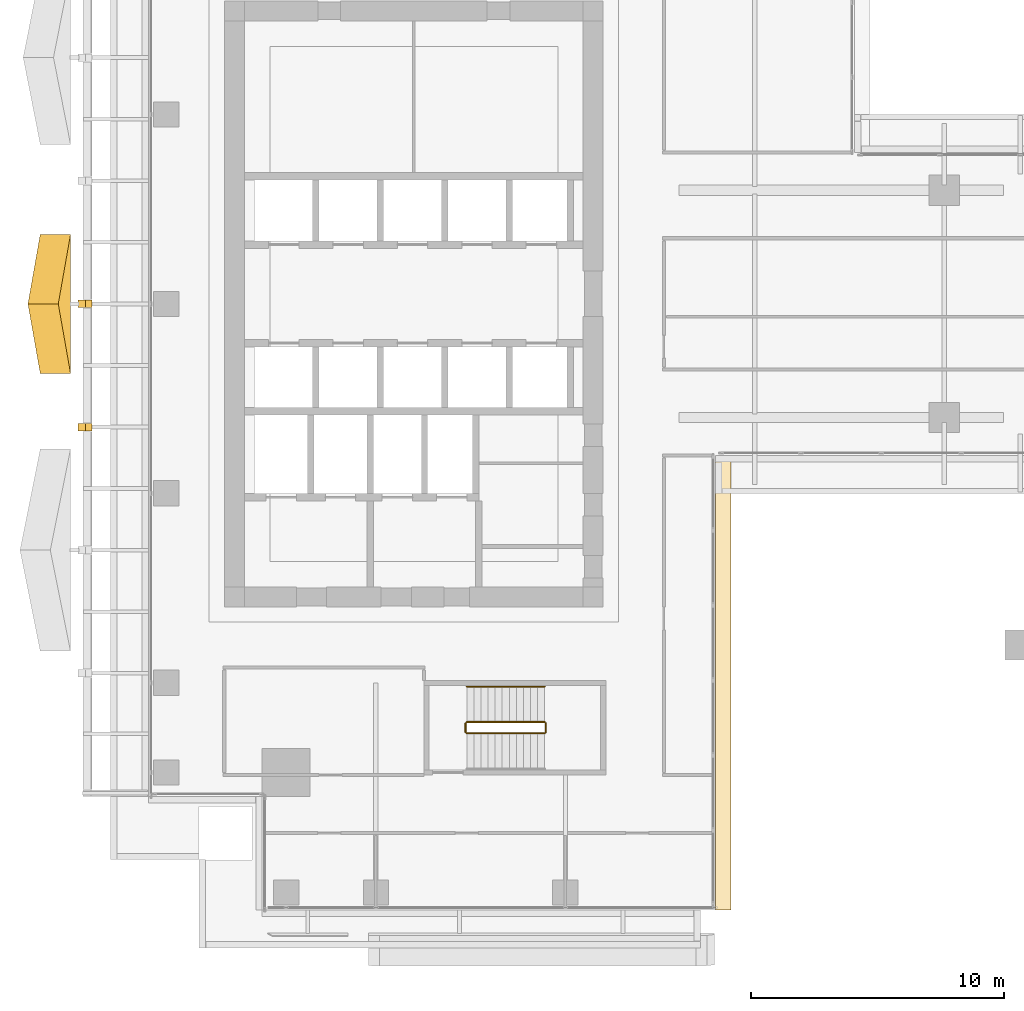
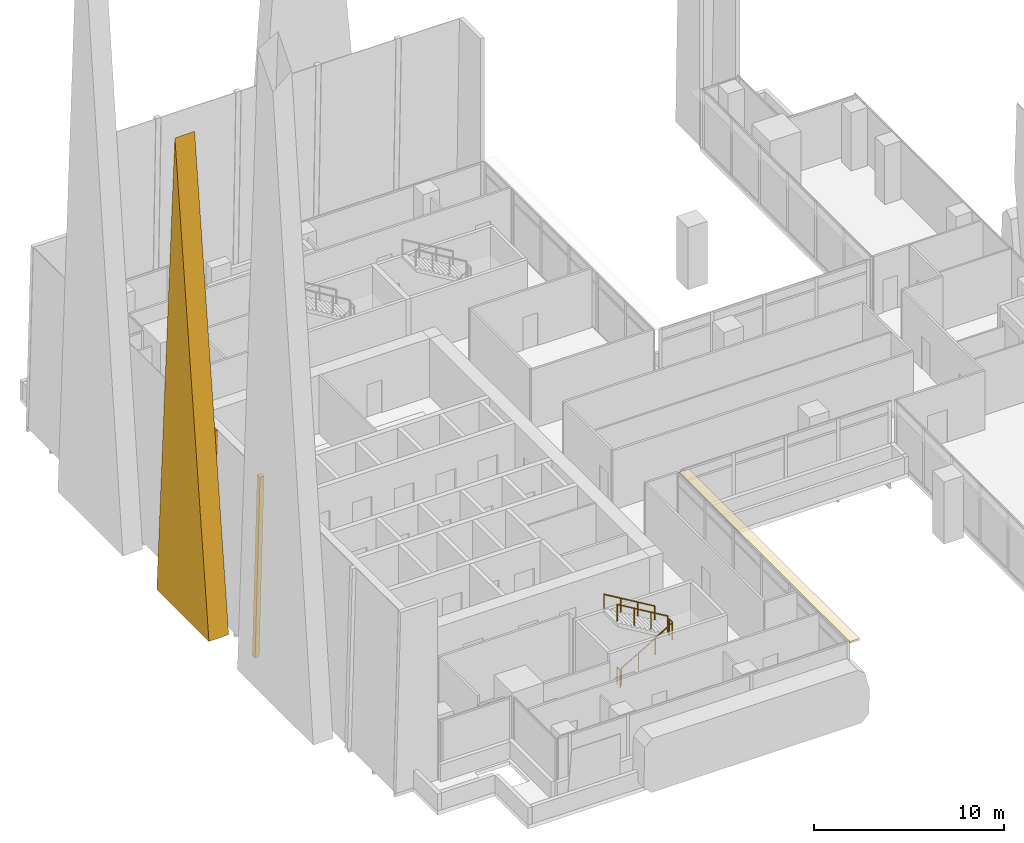
# One storey, part 39 of 43: 5 railings, 4 coverings.
"""IFC4 building model written with IfcOpenShell, lengths in metres."""

from ifc_helpers import new_model, si_unit, direction, frame, origin, origin_2d, place, context, subcontext, project, spatial, polyline, circle, outline, extrude, source, transform, mapped, material, layer, layer_set, type_object, element, save


model = new_model("IFC4")

# Units and contexts
model_context = context("Model", 3, precision=1e-05, world=origin(), true_north=direction((0.0, 1.0)))
body_context = subcontext(model_context, "Body", "Model", "MODEL_VIEW")
ifc_project = project(units=[si_unit("LENGTHUNIT", "METRE"), si_unit("AREAUNIT", "SQUARE_METRE"), si_unit("VOLUMEUNIT", "CUBIC_METRE"), si_unit("PLANEANGLEUNIT", "RADIAN"), si_unit("MASSUNIT", "GRAM", prefix="KILO")], contexts=[model_context])

# Site, building, storey
site_placement = place(None, origin())
site = spatial("IfcSite", under=ifc_project, at=site_placement, CompositionType="ELEMENT")
building_placement = place(site_placement, origin())
building = spatial("IfcBuilding", under=site, at=building_placement, Name="Khomas Fold Tower", CompositionType="ELEMENT")
storey_placement = place(building_placement, frame((0.0, 0.0, 164.699951171875)))
storey = spatial("IfcBuildingStorey", under=building, at=storey_placement, Name="L35", CompositionType="ELEMENT", Elevation=164.699951171875)

# Coverings
ifc_material_1 = material(Name="Natural stone cladding", Category="masonry")
ifc_layer_1 = layer(ifc_material_1, 0.25)
ifc_layer_set_1 = layer_set([ifc_layer_1], Name="Natural stone cladding")
covering_type_1 = type_object("IfcCoveringType", Name="SK-Karibib marble stone mullion", PredefinedType="CLADDING", material=ifc_layer_set_1)
for number, where, z_axis, x_axis, name in (
    (1, (0.205078125, 21.97509765625, 0.006591796875), (-0.999657230839, 0.0, 0.026180543005), (0.0, 1.0, 0.0), "OUTER SKIN mullion L35 W6"),
    (2, (0.205078125, 26.85009765625, 0.006591796875), (-0.999657230839, 0.0, 0.026180543005), (0.0, 1.0, 0.0), "OUTER SKIN mullion L35 W8"),
):
    element("IfcCovering", number, at=place(storey_placement, frame(where, z_axis=z_axis, x_axis=x_axis)), inside=storey, type_object=covering_type_1, Name=name, PredefinedType="CLADDING", context=body_context, shape_type="SweptSolid", body=[
        extrude(outline(polyline([(0.0, 0.0), (0.2998046875, 0.0), (0.2998046875, -11.554009186164079), (0.0, -11.554009186164079), (0.0, 0.0)])), origin(), (0.0, 0.0, -1.0), 0.25),
    ])
ifc_material_2 = material(Name="Natural stone cladding", Category="masonry")
ifc_layer_2 = layer(ifc_material_2, 1.199951171875)
ifc_layer_set_2 = layer_set([ifc_layer_2], Name="Natural stone cladding")
covering_type_2 = type_object("IfcCoveringType", Name="SK-Karibib marble stone panel", PredefinedType="CLADDING", material=ifc_layer_set_2)
covering_1_placement = place(storey_placement, frame((-0.088623046875, 24.25, 0.25), z_axis=(0.999876418156, 0.0, 0.015720954689), x_axis=(0.0, 1.0, 0.0)))
element("IfcCovering", 3, at=covering_1_placement, inside=storey, type_object=covering_type_2, Name="OUTER SKIN blade L35 WZ3-2", PredefinedType="CLADDING", context=body_context, shape_type="SweptSolid", body=[
    extrude(outline(polyline([(0.0, 0.0), (5.5, 0.0), (2.75, 30.903965653449845), (0.0, 0.0)])), origin(), (0.0, 0.0, -1.0), 1.199951171875),
])
ifc_material_3 = material(Name="Natural stone cladding", Category="masonry")
ifc_layer_3 = layer(ifc_material_3, 0.1201171875)
ifc_layer_set_3 = layer_set([ifc_layer_3], Name="Natural stone cladding")
covering_type_3 = type_object("IfcCoveringType", Name="Notch soffit stone GN-SF", PredefinedType="CLADDING", material=ifc_layer_set_3)
shared_shape_1 = source(origin(), body_context, "Body", "SweptSolid", [
    extrude(outline(polyline([(26.050048828125, 3.0), (26.050048828125, 21.0), (25.449951171875, 21.0), (25.449951171875, 3.0), (26.050048828125, 3.0)])), origin(), (0.0, 0.0, 1.0), 0.119873046875),
])
covering_2_placement = place(storey_placement, frame((0.0, 0.0, 3.630126953125)))
element("IfcCovering", 4, at=covering_2_placement, inside=storey, type_object=covering_type_3, Name="Notch soffit stone", PredefinedType="CLADDING", context=body_context, shape_type="MappedRepresentation", body=[
    mapped(shared_shape_1, transform((0.0, 0.0, 0.0))),
])

# Railings
ifc_material_4 = material(Name="Steel balustrade", Category="steel")
railing_type_1 = type_object("IfcRailingType", Name="Stair guard", PredefinedType="GUARDRAIL", material=ifc_material_4)
shared_shape_2 = source(origin(), body_context, "Body", "SweptSolid", [
    extrude(circle(Radius=0.02392578125, at=origin_2d()), frame((0.0, 0.0, 1.076171875), z_axis=(0.0, 1.0, 0.0), x_axis=(-1.0, 0.0, 0.0)), (0.0, 0.0, 1.0), 0.349853515625),
    extrude(circle(Radius=0.02099609375, at=origin_2d()), origin(), (0.0, 0.0, 1.0), 1.052001953125),
    extrude(circle(Radius=0.02099609375, at=origin_2d()), frame((0.0, 0.349853515625, 0.0)), (0.0, 0.0, 1.0), 1.052001953125),
])
for number, where, name in (
    (5, (18.72998046875, 10.050048828125, 2.0), "L35 ST2 stair guard 2"),
    (6, (15.550048828125, 10.050048828125, 0.0), "L35 ST2 stair guard 4"),
):
    element("IfcRailing", number, at=place(storey_placement, frame(where)), inside=storey, type_object=railing_type_1, Name=name, PredefinedType="GUARDRAIL", context=body_context, shape_type="MappedRepresentation", body=[
        mapped(shared_shape_2, transform((0.0, 0.0, 0.0))),
    ])
shared_shape_3 = source(origin(), body_context, "Body", "SweptSolid", [
    extrude(circle(Radius=0.02392578125, at=origin_2d()), frame((0.0, 0.0, 1.076171875), z_axis=(0.859290745958, 0.0, 0.51148745235), x_axis=(0.0, 1.0, 0.0)), (0.0, 0.0, 1.0), 3.584228515625),
    extrude(circle(Radius=0.02099609375, at=origin_2d()), origin(), (0.0, 0.0, 1.0), 1.052001953125),
    extrude(circle(Radius=0.02099609375, at=origin_2d()), frame((1.026611328125, 0.0, 0.611083984375)), (0.0, 0.0, 1.0), 1.052001953125),
    extrude(circle(Radius=0.02099609375, at=origin_2d()), frame((2.05322265625, 0.0, 1.22216796875)), (0.0, 0.0, 1.0), 1.052001953125),
    extrude(circle(Radius=0.02099609375, at=origin_2d()), frame((3.079833984375, 0.0, 1.833251953125)), (0.0, 0.0, 1.0), 1.052001953125),
])
railing_1_placement = place(storey_placement, frame((15.60009765625, 10.0, 0.166748046875)))
element("IfcRailing", 7, at=railing_1_placement, inside=storey, type_object=railing_type_1, Name="L35 ST2 stair guard 1", PredefinedType="GUARDRAIL", context=body_context, shape_type="MappedRepresentation", body=[
    mapped(shared_shape_3, transform((0.0, 0.0, 0.0))),
])
shared_shape_4 = source(origin(), body_context, "Body", "SweptSolid", [
    extrude(circle(Radius=0.02392578125, at=origin_2d()), frame((0.0, 0.0, 1.076171875), z_axis=(-0.859290745958, 0.0, 0.51148745235), x_axis=(0.0, -1.0, 0.0)), (0.0, 0.0, 1.0), 3.584228515625),
    extrude(circle(Radius=0.02099609375, at=origin_2d()), origin(), (0.0, 0.0, 1.0), 1.052001953125),
    extrude(circle(Radius=0.02099609375, at=origin_2d()), frame((-1.026611328125, 0.0, 0.611083984375)), (0.0, 0.0, 1.0), 1.052001953125),
    extrude(circle(Radius=0.02099609375, at=origin_2d()), frame((-2.05322265625, 0.0, 1.22216796875)), (0.0, 0.0, 1.0), 1.052001953125),
    extrude(circle(Radius=0.02099609375, at=origin_2d()), frame((-3.079833984375, 0.0, 1.833251953125)), (0.0, 0.0, 1.0), 1.052001953125),
])
railing_2_placement = place(storey_placement, frame((18.679931640625, 10.449951171875, 2.166748046875)))
element("IfcRailing", 8, at=railing_2_placement, inside=storey, type_object=railing_type_1, Name="L35 ST2 stair guard 3", PredefinedType="GUARDRAIL", context=body_context, shape_type="MappedRepresentation", body=[
    mapped(shared_shape_4, transform((0.0, 0.0, 0.0))),
])
ifc_material_5 = material(Name="Steel handrail", Category="steel")
railing_type_2 = type_object("IfcRailingType", Name="Stair handrail", PredefinedType="HANDRAIL", material=ifc_material_5)
shared_shape_5 = source(origin(), body_context, "Body", "SweptSolid", [
    extrude(circle(Radius=0.02392578125, at=origin_2d()), frame((0.0, 0.0, 0.8759765625), z_axis=(-0.859290745958, 0.0, 0.51148745235), x_axis=(0.0, -1.0, 0.0)), (0.0, 0.0, 1.0), 3.584228515625),
    extrude(circle(Radius=0.02099609375, at=origin_2d()), origin(), (0.0, 0.0, 1.0), 0.851806640625),
    extrude(circle(Radius=0.02099609375, at=origin_2d()), frame((-1.026611328125, 0.0, 0.611083984375)), (0.0, 0.0, 1.0), 0.851806640625),
    extrude(circle(Radius=0.02099609375, at=origin_2d()), frame((-2.05322265625, 0.0, 1.22216796875)), (0.0, 0.0, 1.0), 0.851806640625),
    extrude(circle(Radius=0.02099609375, at=origin_2d()), frame((-3.079833984375, 0.0, 1.833251953125)), (0.0, 0.0, 1.0), 0.851806640625),
])
railing_3_placement = place(storey_placement, frame((18.679931640625, 11.85009765625, 2.166748046875)))
element("IfcRailing", 9, at=railing_3_placement, inside=storey, type_object=railing_type_2, Name="L35 ST2 stair handrail 2", PredefinedType="HANDRAIL", context=body_context, shape_type="MappedRepresentation", body=[
    mapped(shared_shape_5, transform((0.0, 0.0, 0.0))),
])

save(model, "model.ifc")
